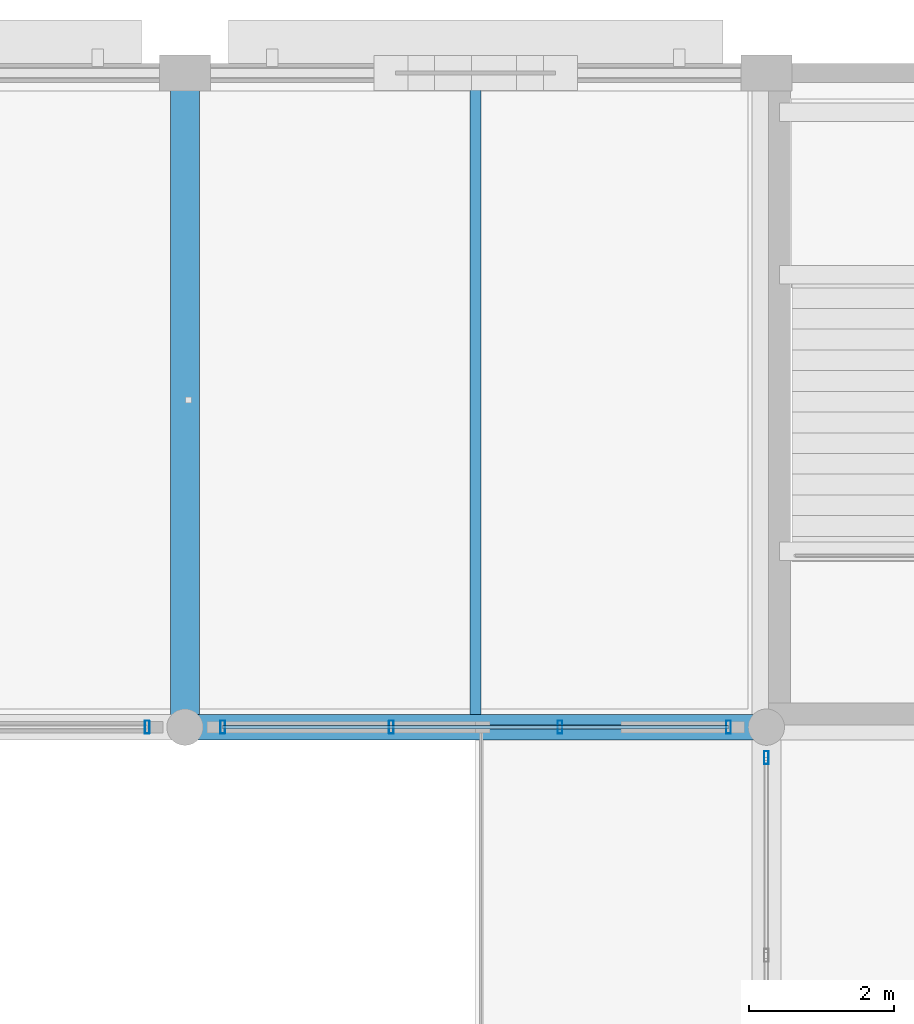
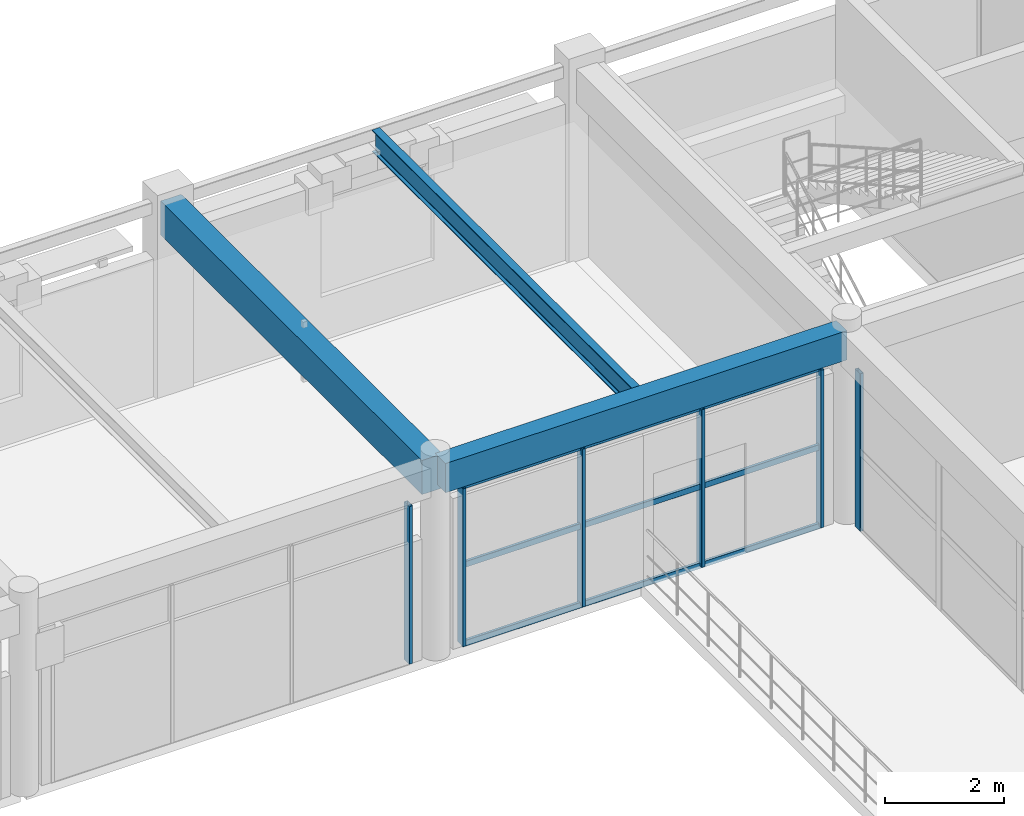
# One storey, part 60 of 126: 9 members, 3 beams, 3 elements without a shape of their own.
"""IFC4 building model written with IfcOpenShell, lengths in metres."""

from ifc_helpers import new_model, si_unit, direction, frame, origin, origin_2d, place, context, subcontext, project, spatial, rectangle, hollow_rectangle, i_section, extrude, material, material_profile, profile_set, type_object, element, aggregate, save


model = new_model("IFC4")

# Units and contexts
model_context = context("Model", 3, precision=1e-05, world=origin(), true_north=direction((0.0, 1.0)))
body_context = subcontext(model_context, "Body", "Model", "MODEL_VIEW")
ifc_project = project(units=[si_unit("LENGTHUNIT", "METRE"), si_unit("AREAUNIT", "SQUARE_METRE"), si_unit("VOLUMEUNIT", "CUBIC_METRE"), si_unit("PLANEANGLEUNIT", "RADIAN"), si_unit("MASSUNIT", "GRAM", prefix="KILO")], contexts=[model_context])

# Site, building, storey
site_placement = place(None, origin())
site = spatial("IfcSite", under=ifc_project, at=site_placement, CompositionType="ELEMENT")
building_placement = place(site_placement, origin())
building = spatial("IfcBuilding", under=site, at=building_placement, Name="Varnabhumi Central Station", CompositionType="ELEMENT")
storey_placement = place(building_placement, frame((0.0, 0.0, 16.199951171875)))
storey = spatial("IfcBuildingStorey", under=building, at=storey_placement, Name="L03", CompositionType="ELEMENT", Elevation=16.199951171875)

# Beams
ifc_material_1 = material(Name="Structural steel E350", Category="steel")
ifc_material_profile_1 = material_profile(ifc_material_1, i_section(OverallWidth=0.14990234375, OverallDepth=0.449951171875, WebThickness=0.009521484375, FlangeThickness=0.017333984375, FilletRadius=0.014892578125, at=origin_2d()), Name="Structural steel E350", Category="steel")
ifc_profile_set_1 = profile_set([ifc_material_profile_1], Name="Structural steel E350")
beam_type_1 = type_object("IfcBeamType", Name="BM-JST-ISMB450", PredefinedType="JOIST", material=ifc_profile_set_1)
beam_1_placement = place(storey_placement, frame((76.0, 107.175048828125, 3.72509765625), z_axis=(0.0, 1.0, 0.0), x_axis=(-1.0, 0.0, 0.0)))
element("IfcBeam", 1, at=beam_1_placement, inside=storey, type_object=beam_type_1, Name="Secondary Joist L03-10/11:N-P", PredefinedType="JOIST", context=body_context, shape_type="SweptSolid", body=[
    extrude(i_section(OverallWidth=0.14990234375, OverallDepth=0.449951171875, WebThickness=0.009521484375, FlangeThickness=0.017333984375, FilletRadius=0.014892578125, at=origin_2d()), origin(), (0.0, 0.0, 1.0), 8.75),
])
ifc_material_2 = material(Name="Concrete M40", Category="concrete")
ifc_material_profile_2 = material_profile(ifc_material_2, rectangle(XDim=0.35009765625, YDim=0.60009765625, at=origin_2d()), Name="Concrete M40", Category="concrete")
ifc_profile_set_2 = profile_set([ifc_material_profile_2], Name="Concrete M40")
beam_type_2 = type_object("IfcBeamType", Name="BM-RC-350x600", PredefinedType="BEAM", material=ifc_profile_set_2)
beam_2_placement = place(storey_placement, frame((72.10009765625, 107.0, 3.650146484375), z_axis=(1.0, 0.0, 0.0), x_axis=(0.0, 1.0, 0.0)))
element("IfcBeam", 2, at=beam_2_placement, inside=storey, type_object=beam_type_2, Name="Beam L03-N:10-11", PredefinedType="BEAM", context=body_context, shape_type="SweptSolid", body=[
    extrude(rectangle(XDim=0.35009765625, YDim=0.60009765625, at=origin_2d()), origin(), (0.0, 0.0, 1.0), 7.7998046875),
])
ifc_material_profile_3 = material_profile(ifc_material_2, rectangle(XDim=0.39990234375, YDim=0.699951171875, at=origin_2d()), Name="Concrete M40", Category="concrete")
ifc_profile_set_3 = profile_set([ifc_material_profile_3], Name="Concrete M40")
beam_type_3 = type_object("IfcBeamType", Name="BM-RC-700x400", PredefinedType="BEAM", material=ifc_profile_set_3)
beam_3_placement = place(storey_placement, frame((72.0, 107.10009765625, 3.60009765625), z_axis=(0.0, 1.0, 0.0), x_axis=(-1.0, 0.0, 0.0)))
element("IfcBeam", 3, at=beam_3_placement, inside=storey, type_object=beam_type_3, Name="Beam L03-10:N-P", PredefinedType="BEAM", context=body_context, shape_type="SweptSolid", body=[
    extrude(rectangle(XDim=0.39990234375, YDim=0.699951171875, at=origin_2d()), origin(), (0.0, 0.0, 1.0), 8.7998046875),
])

# Curtain wall, member
ifc_material_3 = material(Name="Anodised aluminium 6063-T6", Category="aluminium")
curtain_wall_type = type_object("IfcCurtainWallType", Name="CW-PATIO-LOGGIA-L3", PredefinedType="NOTDEFINED", material=ifc_material_3)
curtain_wall_1_placement = place(storey_placement, origin())
curtain_wall_1 = element("IfcCurtainWall", 4, at=curtain_wall_1_placement, inside=storey, type_object=curtain_wall_type, Name="Curtain Wall CW-NP3W2", PredefinedType="NOTDEFINED")
ifc_material_profile_4 = material_profile(ifc_material_3, hollow_rectangle(XDim=0.06494140625, YDim=0.179931640625, WallThickness=0.00390625, InnerFilletRadius=0.001953125, OuterFilletRadius=0.006103515625, at=origin_2d()), Name="Anodised aluminium 6063-T6", Category="aluminium")
ifc_profile_set_4 = profile_set([ifc_material_profile_4], Name="Anodised aluminium 6063-T6")
member_type_1 = type_object("IfcMemberType", Name="CW-MUL-180", PredefinedType="MULLION", material=ifc_profile_set_4)
member_1_placement = place(storey_placement, frame((80.0, 106.580078125, 0.0), z_axis=(0.0, 0.0, 1.0), x_axis=(1.0, 0.0, 0.0)))
member_1 = element("IfcMember", 5, at=member_1_placement, type_object=member_type_1, Name="Curtain Wall Mullion CW-NP3W2-M4", PredefinedType="MULLION", context=body_context, shape_type="SweptSolid", body=[
    extrude(hollow_rectangle(XDim=0.06494140625, YDim=0.179931640625, WallThickness=0.00390625, InnerFilletRadius=0.001953125, OuterFilletRadius=0.006103515625, at=origin_2d()), origin(), (0.0, 0.0, 1.0), 3.239990234375),
])
aggregate(curtain_wall_1, [member_1])

curtain_wall_2_placement = place(storey_placement, origin())
curtain_wall_2 = element("IfcCurtainWall", 6, at=curtain_wall_2_placement, inside=storey, type_object=curtain_wall_type, Name="Curtain Wall CW-NP3N3", PredefinedType="NOTDEFINED")
member_2_placement = place(storey_placement, frame((71.47998046875, 107.0, 0.0), z_axis=(0.0, 0.0, 1.0), x_axis=(1.0, 0.0, 0.0)))
member_2 = element("IfcMember", 7, at=member_2_placement, type_object=member_type_1, Name="Curtain Wall Mullion CW-NP3N3-M4", PredefinedType="MULLION", context=body_context, shape_type="SweptSolid", body=[
    extrude(hollow_rectangle(XDim=0.06494140625, YDim=0.179931640625, WallThickness=0.00390625, InnerFilletRadius=0.001953125, OuterFilletRadius=0.006103515625, at=origin_2d()), origin(), (0.0, 0.0, 1.0), 3.239990234375),
])
aggregate(curtain_wall_2, [member_2])

# Curtain wall, members
curtain_wall_3_placement = place(storey_placement, origin())
curtain_wall_3 = element("IfcCurtainWall", 8, at=curtain_wall_3_placement, inside=storey, type_object=curtain_wall_type, Name="Curtain Wall CW-NP3N4", PredefinedType="NOTDEFINED")
member_3_placement = place(storey_placement, frame((72.52001953125, 107.0, 0.0), z_axis=(0.0, 0.0, 1.0), x_axis=(1.0, 0.0, 0.0)))
member_3 = element("IfcMember", 9, at=member_3_placement, type_object=member_type_1, Name="Curtain Wall Mullion CW-NP3N4-M1", PredefinedType="MULLION", context=body_context, shape_type="SweptSolid", body=[
    extrude(hollow_rectangle(XDim=0.06494140625, YDim=0.179931640625, WallThickness=0.00390625, InnerFilletRadius=0.001953125, OuterFilletRadius=0.006103515625, at=origin_2d()), origin(), (0.0, 0.0, 1.0), 3.239990234375),
])
member_4_placement = place(storey_placement, frame((74.840087890625, 107.0, 0.0), z_axis=(0.0, 0.0, 1.0), x_axis=(1.0, 0.0, 0.0)))
member_4 = element("IfcMember", 10, at=member_4_placement, type_object=member_type_1, Name="Curtain Wall Mullion CW-NP3N4-M2", PredefinedType="MULLION", context=body_context, shape_type="SweptSolid", body=[
    extrude(hollow_rectangle(XDim=0.06494140625, YDim=0.179931640625, WallThickness=0.00390625, InnerFilletRadius=0.001953125, OuterFilletRadius=0.006103515625, at=origin_2d()), origin(), (0.0, 0.0, 1.0), 3.239990234375),
])
member_5_placement = place(storey_placement, frame((77.159912109375, 107.0, 0.0), z_axis=(0.0, 0.0, 1.0), x_axis=(1.0, 0.0, 0.0)))
member_5 = element("IfcMember", 11, at=member_5_placement, type_object=member_type_1, Name="Curtain Wall Mullion CW-NP3N4-M3", PredefinedType="MULLION", context=body_context, shape_type="SweptSolid", body=[
    extrude(hollow_rectangle(XDim=0.06494140625, YDim=0.179931640625, WallThickness=0.00390625, InnerFilletRadius=0.001953125, OuterFilletRadius=0.006103515625, at=origin_2d()), origin(), (0.0, 0.0, 1.0), 3.239990234375),
])
member_6_placement = place(storey_placement, frame((79.47998046875, 107.0, 0.0), z_axis=(0.0, 0.0, 1.0), x_axis=(1.0, 0.0, 0.0)))
member_6 = element("IfcMember", 12, at=member_6_placement, type_object=member_type_1, Name="Curtain Wall Mullion CW-NP3N4-M4", PredefinedType="MULLION", context=body_context, shape_type="SweptSolid", body=[
    extrude(hollow_rectangle(XDim=0.06494140625, YDim=0.179931640625, WallThickness=0.00390625, InnerFilletRadius=0.001953125, OuterFilletRadius=0.006103515625, at=origin_2d()), origin(), (0.0, 0.0, 1.0), 3.239990234375),
])
ifc_material_profile_5 = material_profile(ifc_material_3, hollow_rectangle(XDim=0.054931640625, YDim=0.1201171875, WallThickness=0.00341796875, InnerFilletRadius=0.00146484375, OuterFilletRadius=0.0048828125, at=origin_2d()), Name="Anodised aluminium 6063-T6", Category="aluminium")
ifc_profile_set_5 = profile_set([ifc_material_profile_5], Name="Anodised aluminium 6063-T6")
member_type_2 = type_object("IfcMemberType", Name="CW-TR-120", PredefinedType="USERDEFINED", material=ifc_profile_set_5)
member_7_placement = place(storey_placement, frame((72.52001953125, 107.0, 0.0), z_axis=(1.0, 0.0, 0.0), x_axis=(0.0, 1.0, 0.0)))
member_7 = element("IfcMember", 13, at=member_7_placement, type_object=member_type_2, Name="Curtain Wall Transom CW-NP3N4-T1", ObjectType="TRANSOM", PredefinedType="USERDEFINED", context=body_context, shape_type="SweptSolid", body=[
    extrude(hollow_rectangle(XDim=0.054931640625, YDim=0.1201171875, WallThickness=0.00341796875, InnerFilletRadius=0.00146484375, OuterFilletRadius=0.0048828125, at=origin_2d()), origin(), (0.0, 0.0, 1.0), 6.9599609375),
])
member_8_placement = place(storey_placement, frame((72.52001953125, 107.0, 1.6201171875), z_axis=(1.0, 0.0, 0.0), x_axis=(0.0, 1.0, 0.0)))
member_8 = element("IfcMember", 14, at=member_8_placement, type_object=member_type_2, Name="Curtain Wall Transom CW-NP3N4-T2", ObjectType="TRANSOM", PredefinedType="USERDEFINED", context=body_context, shape_type="SweptSolid", body=[
    extrude(hollow_rectangle(XDim=0.054931640625, YDim=0.1201171875, WallThickness=0.00341796875, InnerFilletRadius=0.00146484375, OuterFilletRadius=0.0048828125, at=origin_2d()), origin(), (0.0, 0.0, 1.0), 6.9599609375),
])
member_9_placement = place(storey_placement, frame((72.52001953125, 107.0, 3.239990234375), z_axis=(1.0, 0.0, 0.0), x_axis=(0.0, 1.0, 0.0)))
member_9 = element("IfcMember", 15, at=member_9_placement, type_object=member_type_2, Name="Curtain Wall Transom CW-NP3N4-T3", ObjectType="TRANSOM", PredefinedType="USERDEFINED", context=body_context, shape_type="SweptSolid", body=[
    extrude(hollow_rectangle(XDim=0.054931640625, YDim=0.1201171875, WallThickness=0.00341796875, InnerFilletRadius=0.00146484375, OuterFilletRadius=0.0048828125, at=origin_2d()), origin(), (0.0, 0.0, 1.0), 6.9599609375),
])
aggregate(curtain_wall_3, [member_3, member_4, member_5, member_6, member_7, member_8, member_9])

save(model, "model.ifc")
